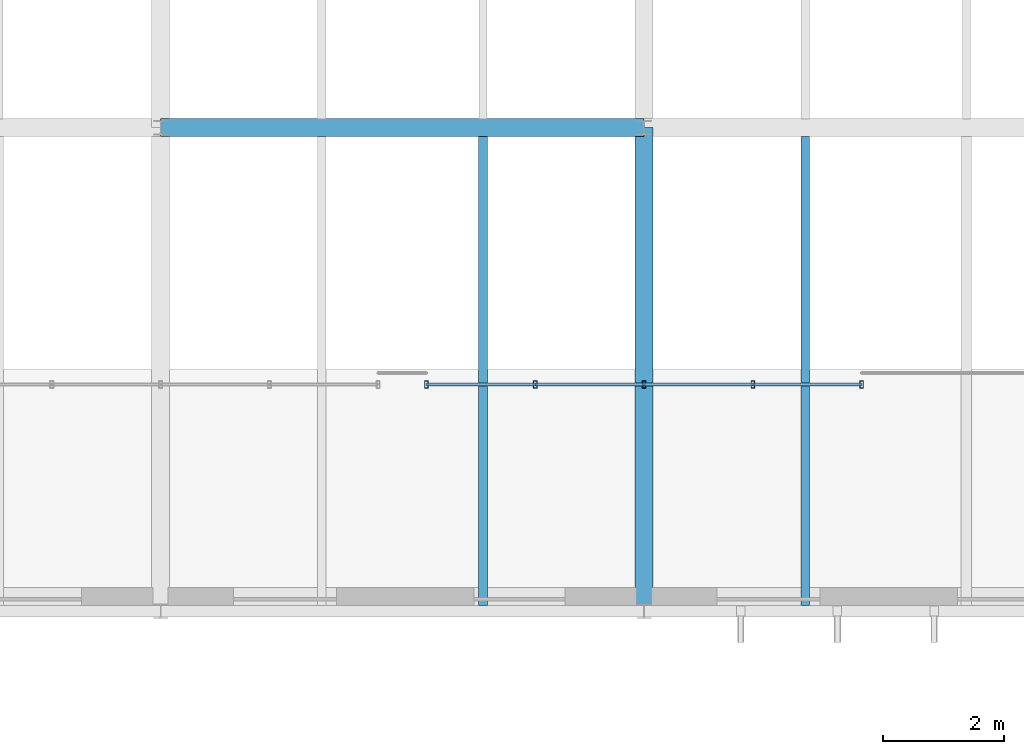
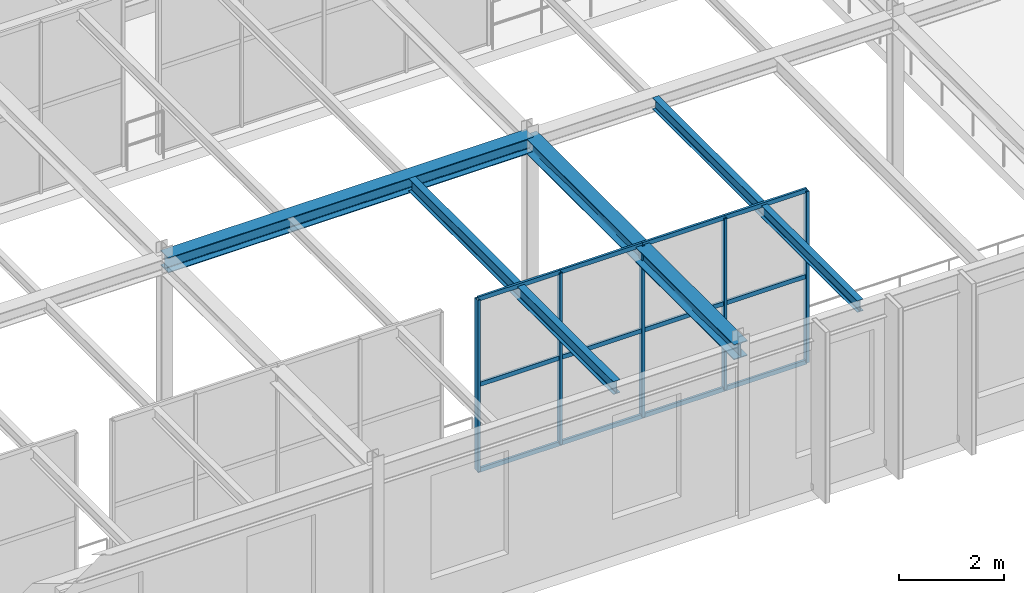
# One storey, part 59 of 124: 17 members, 4 beams, 1 element without a shape of its own.
"""IFC4 building model written with IfcOpenShell, lengths in metres."""

import ifcopenshell
import ifcopenshell.guid

model = None  # the IFC model being written
_history = None  # IfcOwnerHistory: only IFC2X3 demands one
_inside = {}  # id of a spatial element -> (the spatial element, [elements in it])
_under = {}  # id of a project, library or spatial element -> (it, [spatial elements below it])
_declared = {}  # id of a project -> (the project, [libraries it declares])
_typed = {}  # id of a type object -> (the type object, [elements of that type])
_made_of = {}  # id of a material, layer set ... -> (it, [elements and type objects made of it])


def new_model(schema):
    """Start an empty IFC model of exactly this schema.

    Asked for "IFC4X3", IfcOpenShell would pick the latest addendum, in which some entities
    have other attributes; the version numbers below select the first issue.
    IFC2X3 requires an IfcOwnerHistory on every rooted entity: one is made here for all.
    """
    global model, _history
    if schema == "IFC4X3":
        model = ifcopenshell.file(schema_version=(4, 3, 0, 0))
    else:
        model = ifcopenshell.file(schema=schema)
    _inside.clear()
    _under.clear()
    _declared.clear()
    _typed.clear()
    _made_of.clear()
    _history = None
    if model.schema == "IFC2X3":
        org = make("IfcOrganization", Name="unknown")
        user = make(
            "IfcPersonAndOrganization",
            ThePerson=make("IfcPerson", FamilyName="unknown"),
            TheOrganization=org,
        )
        app = make(
            "IfcApplication",
            ApplicationDeveloper=org,
            Version="unknown",
            ApplicationFullName="unknown",
            ApplicationIdentifier="unknown",
        )
        _history = make(
            "IfcOwnerHistory",
            OwningUser=user,
            OwningApplication=app,
            ChangeAction="ADDED",
            CreationDate=0,
        )
    return model


def make(cls, **values):
    """One entity of the class cls with the attributes given. An attribute that is None is left unset."""
    return model.create_entity(
        cls, **{name: value for name, value in values.items() if value is not None}
    )


def rooted(cls, **values):
    """An entity with a GlobalId (a new one), such as an element, a storey or a relation."""
    return make(cls, GlobalId=ifcopenshell.guid.new(), OwnerHistory=_history, **values)


def si_unit(unit_type, name, prefix=None):
    """IfcSIUnit, for example si_unit("LENGTHUNIT", "METRE", prefix="MILLI")."""
    return make("IfcSIUnit", UnitType=unit_type, Prefix=prefix, Name=name)


def assignment(units):
    """IfcUnitAssignment: the units of a project."""
    return None if units is None else make("IfcUnitAssignment", Units=units)


def point(xyz):
    """IfcCartesianPoint."""
    return None if xyz is None else make("IfcCartesianPoint", Coordinates=xyz)


def direction(xyz):
    """IfcDirection."""
    return None if xyz is None else make("IfcDirection", DirectionRatios=xyz)


def frame(location, z_axis=None, x_axis=None):
    """IfcAxis2Placement3D, a coordinate frame: its origin and axes. An axis left out is left unset."""
    return make(
        "IfcAxis2Placement3D",
        Location=point(location),
        Axis=direction(z_axis),
        RefDirection=direction(x_axis),
    )


def frame_2d(location, x_axis=None):
    """IfcAxis2Placement2D, a coordinate frame in the plane: its origin and x axis."""
    return make(
        "IfcAxis2Placement2D", Location=point(location), RefDirection=direction(x_axis)
    )


def origin():
    """The frame at (0, 0, 0) with its axes left unset."""
    return frame((0.0, 0.0, 0.0))


def origin_2d():
    """The frame at (0, 0) in the plane with its x axis left unset."""
    return frame_2d((0.0, 0.0))


def place(relative_to, where):
    """IfcLocalPlacement: puts the frame where relative to a parent placement (None: the world)."""
    return make(
        "IfcLocalPlacement", PlacementRelTo=relative_to, RelativePlacement=where
    )


def context(
    kind, dimensions, precision=None, world=None, true_north=None, identifier=None
):
    """IfcGeometricRepresentationContext, for example the 3D "Model" context."""
    return make(
        "IfcGeometricRepresentationContext",
        ContextIdentifier=identifier,
        ContextType=kind,
        CoordinateSpaceDimension=dimensions,
        Precision=precision,
        WorldCoordinateSystem=world,
        TrueNorth=true_north,
    )


def subcontext(parent, identifier, kind, view, scale=None):
    """IfcGeometricRepresentationSubContext, for example "Body" below "Model"."""
    return make(
        "IfcGeometricRepresentationSubContext",
        ContextIdentifier=identifier,
        ContextType=kind,
        ParentContext=parent,
        TargetScale=scale,
        TargetView=view,
    )


def project(units=None, contexts=None):
    """IfcProject with its units and contexts."""
    return rooted(
        "IfcProject",
        Name="project",
        RepresentationContexts=contexts,
        UnitsInContext=assignment(units),
    )


def spatial(cls, under=None, at=None, **own):
    """A site, building, storey or space (cls), placed at a placement, below another one or the project."""
    s = rooted(cls, ObjectPlacement=at, **own)
    if under is not None:
        _under.setdefault(under.id(), (under, []))[1].append(s)
    return s


def profile(cls, at=None, kind="AREA", **sizes):
    """A parametric profile (cls). Its sizes go by their IFC names, for example OverallWidth=200.0."""
    return make(cls, ProfileType=kind, Position=at, **sizes)


def hollow_rectangle(**sizes):
    """IfcRectangleHollowProfileDef."""
    return profile("IfcRectangleHollowProfileDef", **sizes)


def i_section(**sizes):
    """IfcIShapeProfileDef."""
    return profile("IfcIShapeProfileDef", **sizes)


def extrude(swept, where, along, depth):
    """IfcExtrudedAreaSolid: the profile swept, set in the frame where, extruded along a direction by depth."""
    return make(
        "IfcExtrudedAreaSolid",
        SweptArea=swept,
        Position=where,
        ExtrudedDirection=direction(along),
        Depth=depth,
    )


def shape(context_of_items, identifier, shape_type, items):
    """IfcShapeRepresentation: the items that make up one representation, for example the "Body"."""
    return make(
        "IfcShapeRepresentation",
        ContextOfItems=context_of_items,
        RepresentationIdentifier=identifier,
        RepresentationType=shape_type,
        Items=items,
    )


def material(Name=None, Category=None):
    """IfcMaterial."""
    return make("IfcMaterial", Name=Name, Category=Category)


def material_profile(
    of_material, cross_section, Name=None, Category=None, Priority=None
):
    """IfcMaterialProfile: a cross section and its material."""
    return make(
        "IfcMaterialProfile",
        Name=Name,
        Material=of_material,
        Profile=cross_section,
        Priority=Priority,
        Category=Category,
    )


def profile_set(profiles, Name=None, composite=None):
    """IfcMaterialProfileSet."""
    return make(
        "IfcMaterialProfileSet",
        Name=Name,
        MaterialProfiles=profiles,
        CompositeProfile=composite,
    )


def made_of(thing, what):
    """Note that an element or type object is made of a material, layer set ...; save() writes the relation."""
    if what is not None:
        _made_of.setdefault(what.id(), (what, []))[1].append(thing)
    return thing


def type_object(cls, material=None, **own):
    """A type object (cls), such as IfcWallType, which elements share."""
    return made_of(rooted(cls, **own), material)


def element(
    cls,
    number,
    at=None,
    inside=None,
    cuts=None,
    type_object=None,
    material=None,
    context=None,
    identifier="Body",
    shape_type=None,
    held_by="IfcProductDefinitionShape",
    body=None,
    shapes=None,
    **own,
):
    """One element of the class cls, such as IfcWall. Its Tag is "e" and its number.

    at: its placement. inside: the storey or other place that contains it. cuts: it is an
    opening in that element (IfcRelVoidsElement). A single representation is given by context,
    identifier, shape_type and body (its items); several are given by shapes. held_by: the class
    of the entity that holds the representations. save() writes the other relations.
    """
    e = rooted(cls, Tag="e%d" % number, ObjectPlacement=at, **own)
    if body is not None:
        shapes = [shape(context, identifier, shape_type, body)]
    if shapes is not None:
        e.Representation = make(held_by, Representations=shapes)
    if inside is not None:
        _inside.setdefault(inside.id(), (inside, []))[1].append(e)
    if cuts is not None:
        rooted(
            "IfcRelVoidsElement", RelatingBuildingElement=cuts, RelatedOpeningElement=e
        )
    if type_object is not None:
        _typed.setdefault(type_object.id(), (type_object, []))[1].append(e)
    return made_of(e, material)


def aggregate(whole, parts):
    """IfcRelAggregates: a whole, such as a stair, and the parts it consists of."""
    return rooted("IfcRelAggregates", RelatingObject=whole, RelatedObjects=parts)


def save(model, path):
    """Write the relations noted so far, then the file.

    IfcRelAggregates (storeys below a building ...), IfcRelContainedInSpatialStructure (elements
    in a storey), IfcRelDefinesByType, IfcRelAssociatesMaterial and IfcRelDeclares: one each for
    every whole, place, type object, material and project.
    """
    for whole, parts in _under.values():
        aggregate(whole, parts)
    for where, things in _inside.values():
        rooted(
            "IfcRelContainedInSpatialStructure",
            RelatedElements=things,
            RelatingStructure=where,
        )
    for kind, things in _typed.values():
        rooted("IfcRelDefinesByType", RelatedObjects=things, RelatingType=kind)
    for what, things in _made_of.values():
        rooted("IfcRelAssociatesMaterial", RelatedObjects=things, RelatingMaterial=what)
    for by, libraries in _declared.values():
        rooted("IfcRelDeclares", RelatingContext=by, RelatedDefinitions=libraries)
    model.write(path)


model = new_model("IFC4")

# Units and contexts
model_context = context("Model", 3, precision=1e-05, world=origin(), true_north=direction((0.0, 1.0)))
body_context = subcontext(model_context, "Body", "Model", "MODEL_VIEW")
ifc_project = project(units=[si_unit("LENGTHUNIT", "METRE"), si_unit("AREAUNIT", "SQUARE_METRE"), si_unit("VOLUMEUNIT", "CUBIC_METRE"), si_unit("PLANEANGLEUNIT", "RADIAN"), si_unit("MASSUNIT", "GRAM", prefix="KILO")], contexts=[model_context])

# Site, building, storey
site_placement = place(None, origin())
site = spatial("IfcSite", under=ifc_project, at=site_placement, CompositionType="ELEMENT")
building_placement = place(site_placement, origin())
building = spatial("IfcBuilding", under=site, at=building_placement, Name="Sundkrona Museum", CompositionType="ELEMENT")
storey_placement = place(building_placement, frame((0.0, 0.0, 17.60009765625)))
storey = spatial("IfcBuildingStorey", under=building, at=storey_placement, Name="L03", CompositionType="ELEMENT", Elevation=17.60009765625)

# Beams
ifc_material_1 = material(Name="Steel S355J2", Category="steel")
ifc_material_profile_1 = material_profile(ifc_material_1, i_section(OverallWidth=0.300048828125, OverallDepth=0.35009765625, WebThickness=0.010009765625, FlangeThickness=0.017578125, FilletRadius=0.027099609375, at=origin_2d()), Name="HEA 360")
ifc_profile_set_1 = profile_set([ifc_material_profile_1], Name="Steel S355J2")
beam_type_1 = type_object("IfcBeamType", Name="B-HEA360", PredefinedType="BEAM", material=ifc_profile_set_1)
for number, where, z_axis, x_axis, name in (
    (1, (32.0, 86.0, 3.784912109375), (1.0, 0.0, 0.0), (0.0, 1.0, 0.0), "L03 Girder X-1500"),
    (2, (40.0, 78.0, 3.784912109375), (0.0, 1.0, 0.0), (-1.0, 0.0, 0.0), "L03 Girder Y-1576"),
):
    element("IfcBeam", number, at=place(storey_placement, frame(where, z_axis=z_axis, x_axis=x_axis)), inside=storey, type_object=beam_type_1, Name=name, PredefinedType="BEAM", context=body_context, shape_type="SweptSolid", body=[
        extrude(i_section(OverallWidth=0.300048828125, OverallDepth=0.35009765625, WebThickness=0.010009765625, FlangeThickness=0.017578125, FilletRadius=0.027099609375, at=origin_2d()), origin(), (0.0, 0.0, 1.0), 8.0),
    ])
ifc_material_profile_2 = material_profile(ifc_material_1, i_section(OverallWidth=0.135009765625, OverallDepth=0.27001953125, WebThickness=0.006591796875, FlangeThickness=0.01025390625, FilletRadius=0.014892578125, at=origin_2d()), Name="IPE 270")
ifc_profile_set_2 = profile_set([ifc_material_profile_2], Name="Steel S355J2")
beam_type_2 = type_object("IfcBeamType", Name="J-IPE270", PredefinedType="JOIST", material=ifc_profile_set_2)
beam_1_placement = place(storey_placement, frame((42.666748046875, 78.089111328125, 3.824951171875), z_axis=(0.0, 1.0, 0.0), x_axis=(-1.0, 0.0, 0.0)))
element("IfcBeam", 3, at=beam_1_placement, inside=storey, type_object=beam_type_2, Name="L03 Composite Joist 1004", PredefinedType="JOIST", context=body_context, shape_type="SweptSolid", body=[
    extrude(i_section(OverallWidth=0.135009765625, OverallDepth=0.27001953125, WebThickness=0.006591796875, FlangeThickness=0.01025390625, FilletRadius=0.014892578125, at=origin_2d()), origin(), (0.0, 0.0, 1.0), 7.766845703125),
])
ifc_material_profile_3 = material_profile(ifc_material_1, i_section(OverallWidth=0.14990234375, OverallDepth=0.300048828125, WebThickness=0.007080078125, FlangeThickness=0.0107421875, FilletRadius=0.014892578125, at=origin_2d()), Name="IPE 300")
ifc_profile_set_3 = profile_set([ifc_material_profile_3], Name="Steel S355J2")
beam_type_3 = type_object("IfcBeamType", Name="J-IPE300", PredefinedType="JOIST", material=ifc_profile_set_3)
beam_2_placement = place(storey_placement, frame((37.333251953125, 78.089111328125, 3.809814453125), z_axis=(0.0, 1.0, 0.0), x_axis=(-1.0, 0.0, 0.0)))
element("IfcBeam", 4, at=beam_2_placement, inside=storey, type_object=beam_type_3, Name="L03 Composite Joist 0995", PredefinedType="JOIST", context=body_context, shape_type="SweptSolid", body=[
    extrude(i_section(OverallWidth=0.14990234375, OverallDepth=0.300048828125, WebThickness=0.007080078125, FlangeThickness=0.0107421875, FilletRadius=0.014892578125, at=origin_2d()), origin(), (0.0, 0.0, 1.0), 7.766845703125),
])

# Curtain wall, members
ifc_material_2 = material(Name="Unitised Aluminium-Steel and Ceramic-Clad Curtain Walling", Category="steel")
curtain_wall_type = type_object("IfcCurtainWallType", Name="CW-CL-64x38", PredefinedType="NOTDEFINED", material=ifc_material_2)
curtain_wall_placement = place(storey_placement, origin())
curtain_wall = element("IfcCurtainWall", 5, at=curtain_wall_placement, inside=storey, type_object=curtain_wall_type, Name="L03 Curtain Wall CW-L03-140", PredefinedType="NOTDEFINED")
ifc_material_3 = material(Name="Aluminium EN AW-6060 T66", Category="aluminium")
ifc_material_profile_4 = material_profile(ifc_material_3, hollow_rectangle(XDim=0.06005859375, YDim=0.1201171875, WallThickness=0.0048828125, at=origin_2d()), Name="RHS 120x60x5.0")
ifc_profile_set_4 = profile_set([ifc_material_profile_4], Name="Aluminium EN AW-6060 T66")
member_type_1 = type_object("IfcMemberType", Name="ML-120", PredefinedType="MULLION", material=ifc_profile_set_4)
member_1_placement = place(storey_placement, frame((36.39990234375, 81.75, -0.004150390625), z_axis=(0.0, 0.0, 1.0), x_axis=(1.0, 0.0, 0.0)))
member_1 = element("IfcMember", 6, at=member_1_placement, type_object=member_type_1, Name="CW-L03-140 Mullion 01", PredefinedType="MULLION", context=body_context, shape_type="SweptSolid", body=[
    extrude(hollow_rectangle(XDim=0.06005859375, YDim=0.1201171875, WallThickness=0.0048828125, at=origin_2d()), origin(), (0.0, 0.0, 1.0), 3.968017578125),
])
member_2_placement = place(storey_placement, frame((38.199951171875, 81.75, -0.004150390625), z_axis=(0.0, 0.0, 1.0), x_axis=(1.0, 0.0, 0.0)))
member_2 = element("IfcMember", 7, at=member_2_placement, type_object=member_type_1, Name="CW-L03-140 Mullion 02", PredefinedType="MULLION", context=body_context, shape_type="SweptSolid", body=[
    extrude(hollow_rectangle(XDim=0.06005859375, YDim=0.1201171875, WallThickness=0.0048828125, at=origin_2d()), origin(), (0.0, 0.0, 1.0), 3.968017578125),
])
member_3_placement = place(storey_placement, frame((40.0, 81.75, -0.004150390625), z_axis=(0.0, 0.0, 1.0), x_axis=(1.0, 0.0, 0.0)))
member_3 = element("IfcMember", 8, at=member_3_placement, type_object=member_type_1, Name="CW-L03-140 Mullion 03", PredefinedType="MULLION", context=body_context, shape_type="SweptSolid", body=[
    extrude(hollow_rectangle(XDim=0.06005859375, YDim=0.1201171875, WallThickness=0.0048828125, at=origin_2d()), origin(), (0.0, 0.0, 1.0), 3.968017578125),
])
member_4_placement = place(storey_placement, frame((41.800048828125, 81.75, -0.004150390625), z_axis=(0.0, 0.0, 1.0), x_axis=(1.0, 0.0, 0.0)))
member_4 = element("IfcMember", 9, at=member_4_placement, type_object=member_type_1, Name="CW-L03-140 Mullion 04", PredefinedType="MULLION", context=body_context, shape_type="SweptSolid", body=[
    extrude(hollow_rectangle(XDim=0.06005859375, YDim=0.1201171875, WallThickness=0.0048828125, at=origin_2d()), origin(), (0.0, 0.0, 1.0), 3.968017578125),
])
member_5_placement = place(storey_placement, frame((43.60009765625, 81.75, -0.004150390625), z_axis=(0.0, 0.0, 1.0), x_axis=(1.0, 0.0, 0.0)))
member_5 = element("IfcMember", 10, at=member_5_placement, type_object=member_type_1, Name="CW-L03-140 Mullion 05", PredefinedType="MULLION", context=body_context, shape_type="SweptSolid", body=[
    extrude(hollow_rectangle(XDim=0.06005859375, YDim=0.1201171875, WallThickness=0.0048828125, at=origin_2d()), origin(), (0.0, 0.0, 1.0), 3.968017578125),
])
ifc_material_profile_5 = material_profile(ifc_material_3, hollow_rectangle(XDim=0.050048828125, YDim=0.10009765625, WallThickness=0.0048828125, at=origin_2d()), Name="RHS 100x50x5.0")
ifc_profile_set_5 = profile_set([ifc_material_profile_5], Name="Aluminium EN AW-6060 T66")
member_type_2 = type_object("IfcMemberType", Name="TR-100", PredefinedType="USERDEFINED", material=ifc_profile_set_5)
member_6_placement = place(storey_placement, frame((36.39990234375, 81.75, -0.004150390625), z_axis=(1.0, 0.0, 0.0), x_axis=(0.0, 1.0, 0.0)))
member_6 = element("IfcMember", 11, at=member_6_placement, type_object=member_type_2, Name="CW-L03-140 Transom 01", ObjectType="TRANSOM", PredefinedType="USERDEFINED", context=body_context, shape_type="SweptSolid", body=[
    extrude(hollow_rectangle(XDim=0.050048828125, YDim=0.10009765625, WallThickness=0.0048828125, at=origin_2d()), origin(), (0.0, 0.0, 1.0), 1.800048828125),
])
member_7_placement = place(storey_placement, frame((36.39990234375, 81.75, 1.97998046875), z_axis=(1.0, 0.0, 0.0), x_axis=(0.0, 1.0, 0.0)))
member_7 = element("IfcMember", 12, at=member_7_placement, type_object=member_type_2, Name="CW-L03-140 Transom 02", ObjectType="TRANSOM", PredefinedType="USERDEFINED", context=body_context, shape_type="SweptSolid", body=[
    extrude(hollow_rectangle(XDim=0.050048828125, YDim=0.10009765625, WallThickness=0.0048828125, at=origin_2d()), origin(), (0.0, 0.0, 1.0), 1.800048828125),
])
member_8_placement = place(storey_placement, frame((36.39990234375, 81.75, 3.9638671875), z_axis=(1.0, 0.0, 0.0), x_axis=(0.0, 1.0, 0.0)))
member_8 = element("IfcMember", 13, at=member_8_placement, type_object=member_type_2, Name="CW-L03-140 Transom 03", ObjectType="TRANSOM", PredefinedType="USERDEFINED", context=body_context, shape_type="SweptSolid", body=[
    extrude(hollow_rectangle(XDim=0.050048828125, YDim=0.10009765625, WallThickness=0.0048828125, at=origin_2d()), origin(), (0.0, 0.0, 1.0), 1.800048828125),
])
member_9_placement = place(storey_placement, frame((38.199951171875, 81.75, -0.004150390625), z_axis=(1.0, 0.0, 0.0), x_axis=(0.0, 1.0, 0.0)))
member_9 = element("IfcMember", 14, at=member_9_placement, type_object=member_type_2, Name="CW-L03-140 Transom 04", ObjectType="TRANSOM", PredefinedType="USERDEFINED", context=body_context, shape_type="SweptSolid", body=[
    extrude(hollow_rectangle(XDim=0.050048828125, YDim=0.10009765625, WallThickness=0.0048828125, at=origin_2d()), origin(), (0.0, 0.0, 1.0), 1.800048828125),
])
member_10_placement = place(storey_placement, frame((38.199951171875, 81.75, 1.97998046875), z_axis=(1.0, 0.0, 0.0), x_axis=(0.0, 1.0, 0.0)))
member_10 = element("IfcMember", 15, at=member_10_placement, type_object=member_type_2, Name="CW-L03-140 Transom 05", ObjectType="TRANSOM", PredefinedType="USERDEFINED", context=body_context, shape_type="SweptSolid", body=[
    extrude(hollow_rectangle(XDim=0.050048828125, YDim=0.10009765625, WallThickness=0.0048828125, at=origin_2d()), origin(), (0.0, 0.0, 1.0), 1.800048828125),
])
member_11_placement = place(storey_placement, frame((38.199951171875, 81.75, 3.9638671875), z_axis=(1.0, 0.0, 0.0), x_axis=(0.0, 1.0, 0.0)))
member_11 = element("IfcMember", 16, at=member_11_placement, type_object=member_type_2, Name="CW-L03-140 Transom 06", ObjectType="TRANSOM", PredefinedType="USERDEFINED", context=body_context, shape_type="SweptSolid", body=[
    extrude(hollow_rectangle(XDim=0.050048828125, YDim=0.10009765625, WallThickness=0.0048828125, at=origin_2d()), origin(), (0.0, 0.0, 1.0), 1.800048828125),
])
member_12_placement = place(storey_placement, frame((40.0, 81.75, -0.004150390625), z_axis=(1.0, 0.0, 0.0), x_axis=(0.0, 1.0, 0.0)))
member_12 = element("IfcMember", 17, at=member_12_placement, type_object=member_type_2, Name="CW-L03-140 Transom 07", ObjectType="TRANSOM", PredefinedType="USERDEFINED", context=body_context, shape_type="SweptSolid", body=[
    extrude(hollow_rectangle(XDim=0.050048828125, YDim=0.10009765625, WallThickness=0.0048828125, at=origin_2d()), origin(), (0.0, 0.0, 1.0), 1.800048828125),
])
member_13_placement = place(storey_placement, frame((40.0, 81.75, 1.97998046875), z_axis=(1.0, 0.0, 0.0), x_axis=(0.0, 1.0, 0.0)))
member_13 = element("IfcMember", 18, at=member_13_placement, type_object=member_type_2, Name="CW-L03-140 Transom 08", ObjectType="TRANSOM", PredefinedType="USERDEFINED", context=body_context, shape_type="SweptSolid", body=[
    extrude(hollow_rectangle(XDim=0.050048828125, YDim=0.10009765625, WallThickness=0.0048828125, at=origin_2d()), origin(), (0.0, 0.0, 1.0), 1.800048828125),
])
member_14_placement = place(storey_placement, frame((40.0, 81.75, 3.9638671875), z_axis=(1.0, 0.0, 0.0), x_axis=(0.0, 1.0, 0.0)))
member_14 = element("IfcMember", 19, at=member_14_placement, type_object=member_type_2, Name="CW-L03-140 Transom 09", ObjectType="TRANSOM", PredefinedType="USERDEFINED", context=body_context, shape_type="SweptSolid", body=[
    extrude(hollow_rectangle(XDim=0.050048828125, YDim=0.10009765625, WallThickness=0.0048828125, at=origin_2d()), origin(), (0.0, 0.0, 1.0), 1.800048828125),
])
member_15_placement = place(storey_placement, frame((41.800048828125, 81.75, -0.004150390625), z_axis=(1.0, 0.0, 0.0), x_axis=(0.0, 1.0, 0.0)))
member_15 = element("IfcMember", 20, at=member_15_placement, type_object=member_type_2, Name="CW-L03-140 Transom 10", ObjectType="TRANSOM", PredefinedType="USERDEFINED", context=body_context, shape_type="SweptSolid", body=[
    extrude(hollow_rectangle(XDim=0.050048828125, YDim=0.10009765625, WallThickness=0.0048828125, at=origin_2d()), origin(), (0.0, 0.0, 1.0), 1.800048828125),
])
member_16_placement = place(storey_placement, frame((41.800048828125, 81.75, 1.97998046875), z_axis=(1.0, 0.0, 0.0), x_axis=(0.0, 1.0, 0.0)))
member_16 = element("IfcMember", 21, at=member_16_placement, type_object=member_type_2, Name="CW-L03-140 Transom 11", ObjectType="TRANSOM", PredefinedType="USERDEFINED", context=body_context, shape_type="SweptSolid", body=[
    extrude(hollow_rectangle(XDim=0.050048828125, YDim=0.10009765625, WallThickness=0.0048828125, at=origin_2d()), origin(), (0.0, 0.0, 1.0), 1.800048828125),
])
member_17_placement = place(storey_placement, frame((41.800048828125, 81.75, 3.9638671875), z_axis=(1.0, 0.0, 0.0), x_axis=(0.0, 1.0, 0.0)))
member_17 = element("IfcMember", 22, at=member_17_placement, type_object=member_type_2, Name="CW-L03-140 Transom 12", ObjectType="TRANSOM", PredefinedType="USERDEFINED", context=body_context, shape_type="SweptSolid", body=[
    extrude(hollow_rectangle(XDim=0.050048828125, YDim=0.10009765625, WallThickness=0.0048828125, at=origin_2d()), origin(), (0.0, 0.0, 1.0), 1.800048828125),
])
aggregate(curtain_wall, [member_1, member_2, member_3, member_4, member_5, member_6, member_7, member_8, member_9, member_10, member_11, member_12, member_13, member_14, member_15, member_16, member_17])

save(model, "model.ifc")
